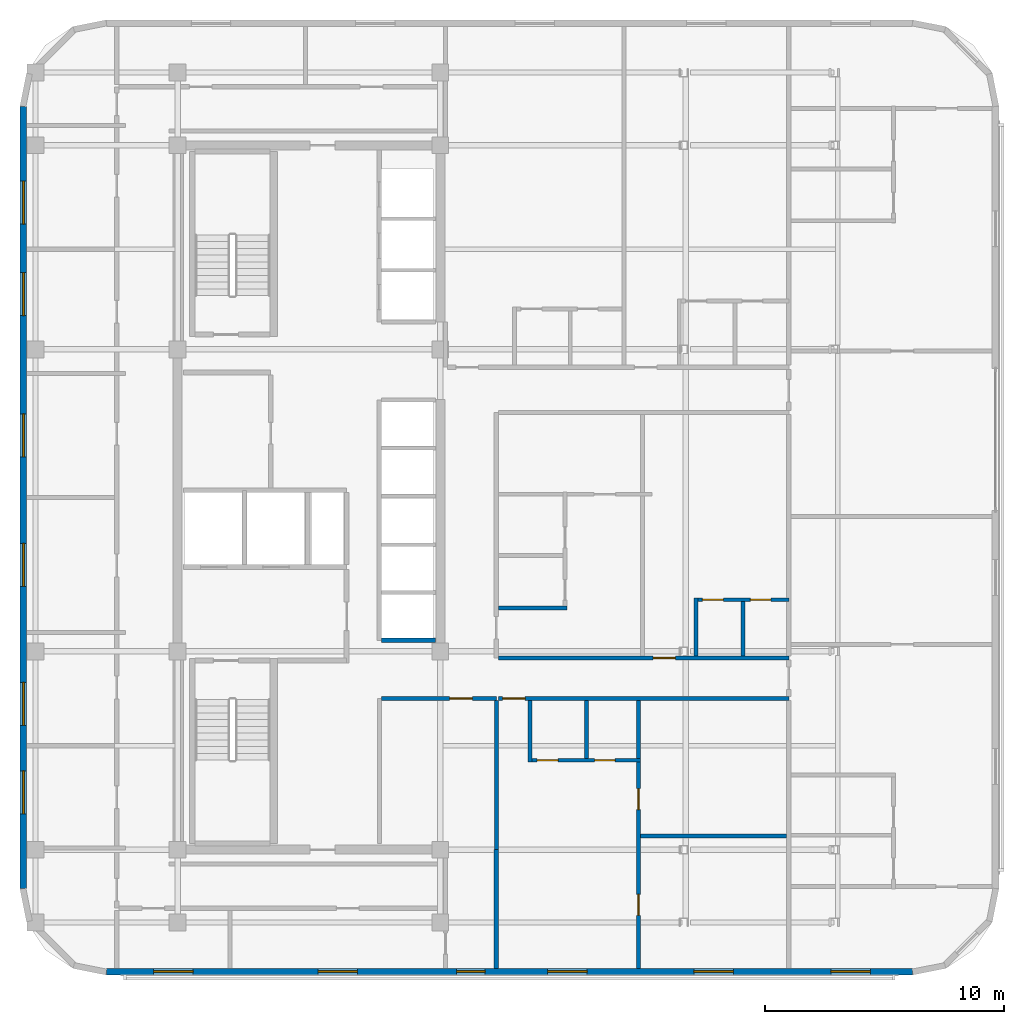
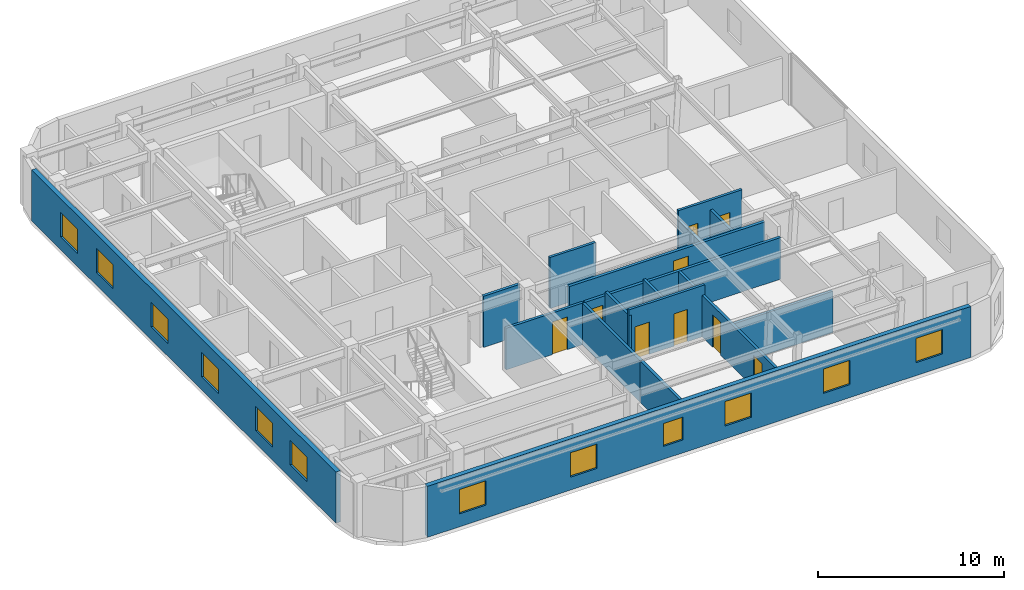
# One storey, part 4 of 11: 17 walls, 12 windows, 9 doors, 21 openings.
"""IFC4 building model written with IfcOpenShell, lengths in metres."""

from ifc_helpers import new_model, si_unit, direction, frame, frame_2d, origin, place, context, subcontext, project, spatial, rectangle, extrude, material, layer, layer_set, type_object, element, fill, save


model = new_model("IFC4")

# Units and contexts
model_context = context("Model", 3, precision=1e-05, world=origin(), true_north=direction((0.0, 1.0)))
body_context = subcontext(model_context, "Body", "Model", "MODEL_VIEW")
ifc_project = project(units=[si_unit("LENGTHUNIT", "METRE"), si_unit("AREAUNIT", "SQUARE_METRE"), si_unit("VOLUMEUNIT", "CUBIC_METRE"), si_unit("PLANEANGLEUNIT", "RADIAN"), si_unit("MASSUNIT", "GRAM", prefix="KILO")], contexts=[model_context])

# Site, building, storey
site_placement = place(None, origin())
site = spatial("IfcSite", under=ifc_project, at=site_placement, CompositionType="ELEMENT")
building_placement = place(site_placement, origin())
building = spatial("IfcBuilding", under=site, at=building_placement, Name="Ochreholt Gables", CompositionType="ELEMENT")
storey_placement = place(building_placement, frame((0.0, 0.0, 155.39990234375)))
storey = spatial("IfcBuildingStorey", under=building, at=storey_placement, Name="L40", CompositionType="ELEMENT", Elevation=155.39990234375)

# Wall, openings, windows
ifc_material_1 = material(Name="Precast concrete 40 MPa", Category="concrete")
ifc_layer_1 = layer(ifc_material_1, 0.280029296875, Name="Precast concrete 40 MPa")
ifc_layer_set_1 = layer_set([ifc_layer_1], Name="Precast concrete 40 MPa")
wall_type_1 = type_object("IfcWallType", Name="WALL-EXT-280", PredefinedType="SOLIDWALL", material=ifc_layer_set_1)
wall_1_placement = place(storey_placement, frame((21.219970703125, 4.139892578125, 0.0), z_axis=(0.0, 0.0, 1.0), x_axis=(1.0, 0.0, 0.0)))
wall_1 = element("IfcWall", 1, at=wall_1_placement, inside=storey, type_object=wall_type_1, Name="L40 South Exterior Wall", PredefinedType="SOLIDWALL", context=body_context, shape_type="SweptSolid", body=[
    extrude(rectangle(XDim=33.760009765625, YDim=0.280029296875, at=frame_2d((16.8798828125, 0.0))), origin(), (0.0, 0.0, 1.0), 3.360107421875),
])
opening_1_placement = place(wall_1_placement, frame((1.97998046875, 0.0, 0.85009765625)))
opening_1 = element("IfcOpeningElement", 2, at=opening_1_placement, cuts=wall_1, Name="Opening WN-7", PredefinedType="OPENING", context=body_context, shape_type="SweptSolid", body=[
    extrude(rectangle(XDim=1.64990234375, YDim=1.60009765625, at=frame_2d((0.824951171875, 0.800048828125))), frame((0.0, 0.14990234375, 0.0), z_axis=(0.0, -1.0, 0.0), x_axis=(1.0, 0.0, 0.0)), (0.0, 0.0, 1.0), 0.300048828125),
])
opening_2_placement = place(wall_1_placement, frame((8.864990234375, 0.0, 0.85009765625)))
opening_2 = element("IfcOpeningElement", 3, at=opening_2_placement, cuts=wall_1, Name="Opening WN-7", PredefinedType="OPENING", context=body_context, shape_type="SweptSolid", body=[
    extrude(rectangle(XDim=1.64990234375, YDim=1.60009765625, at=frame_2d((0.824951171875, 0.800048828125))), frame((0.0, 0.14990234375, 0.0), z_axis=(0.0, -1.0, 0.0), x_axis=(1.0, 0.0, 0.0)), (0.0, 0.0, 1.0), 0.300048828125),
])
opening_3_placement = place(wall_1_placement, frame((14.6650390625, 0.0, 0.85009765625)))
opening_3 = element("IfcOpeningElement", 4, at=opening_3_placement, cuts=wall_1, Name="Opening WN-3", PredefinedType="OPENING", context=body_context, shape_type="SweptSolid", body=[
    extrude(rectangle(XDim=1.199951171875, YDim=1.5, at=frame_2d((0.60009765625, 0.75))), frame((0.0, 0.14990234375, 0.0), z_axis=(0.0, -1.0, 0.0), x_axis=(1.0, 0.0, 0.0)), (0.0, 0.0, 1.0), 0.300048828125),
])
opening_4_placement = place(wall_1_placement, frame((18.485107421875, 0.0, 0.85009765625)))
opening_4 = element("IfcOpeningElement", 5, at=opening_4_placement, cuts=wall_1, Name="Opening WN-7", PredefinedType="OPENING", context=body_context, shape_type="SweptSolid", body=[
    extrude(rectangle(XDim=1.64990234375, YDim=1.60009765625, at=frame_2d((0.824951171875, 0.800048828125))), frame((0.0, 0.14990234375, 0.0), z_axis=(0.0, -1.0, 0.0), x_axis=(1.0, 0.0, 0.0)), (0.0, 0.0, 1.0), 0.300048828125),
])
opening_5_placement = place(wall_1_placement, frame((24.610107421875, 0.0, 0.85009765625)))
opening_5 = element("IfcOpeningElement", 6, at=opening_5_placement, cuts=wall_1, Name="Opening WN-7", PredefinedType="OPENING", context=body_context, shape_type="SweptSolid", body=[
    extrude(rectangle(XDim=1.64990234375, YDim=1.60009765625, at=frame_2d((0.824951171875, 0.800048828125))), frame((0.0, 0.14990234375, 0.0), z_axis=(0.0, -1.0, 0.0), x_axis=(1.0, 0.0, 0.0)), (0.0, 0.0, 1.0), 0.300048828125),
])
opening_6_placement = place(wall_1_placement, frame((30.344970703125, 0.0, 0.85009765625)))
opening_6 = element("IfcOpeningElement", 7, at=opening_6_placement, cuts=wall_1, Name="Opening WN-7", PredefinedType="OPENING", context=body_context, shape_type="SweptSolid", body=[
    extrude(rectangle(XDim=1.64990234375, YDim=1.60009765625, at=frame_2d((0.824951171875, 0.800048828125))), frame((0.0, 0.14990234375, 0.0), z_axis=(0.0, -1.0, 0.0), x_axis=(1.0, 0.0, 0.0)), (0.0, 0.0, 1.0), 0.300048828125),
])
ifc_material_2 = material(Name="Triple-Glazed Thermally Broken Aluminium Window", Category="aluminium")
window_type_1 = type_object("IfcWindowType", Name="WIN-RES-1200", PartitioningType="SINGLE_PANEL", PredefinedType="WINDOW", material=ifc_material_2)
window_1_placement = place(opening_3_placement, origin())
window_1 = element("IfcWindow", 8, at=window_1_placement, inside=storey, type_object=window_type_1, Name="L40 Window W-EXT-S-L40-3", OverallHeight=1.5, OverallWidth=1.199951171875, PartitioningType="SINGLE_PANEL", PredefinedType="WINDOW", context=body_context, shape_type="SweptSolid", body=[
    extrude(rectangle(XDim=1.199951171875, YDim=1.5, at=frame_2d((0.60009765625, 0.75))), frame((0.0, 0.030029296875, 0.0), z_axis=(0.0, -1.0, 0.0), x_axis=(1.0, 0.0, 0.0)), (0.0, 0.0, 1.0), 0.06005859375),
])
fill(opening_3, window_1)
window_type_2 = type_object("IfcWindowType", Name="WIN-RES-1650", PartitioningType="SINGLE_PANEL", PredefinedType="WINDOW", material=ifc_material_2)
window_2_placement = place(opening_1_placement, origin())
window_2 = element("IfcWindow", 9, at=window_2_placement, inside=storey, type_object=window_type_2, Name="L40 Window W-EXT-S-L40-1", OverallHeight=1.60009765625, OverallWidth=1.64990234375, PartitioningType="SINGLE_PANEL", PredefinedType="WINDOW", context=body_context, shape_type="SweptSolid", body=[
    extrude(rectangle(XDim=1.64990234375, YDim=1.60009765625, at=frame_2d((0.824951171875, 0.800048828125))), frame((0.0, 0.030029296875, 0.0), z_axis=(0.0, -1.0, 0.0), x_axis=(1.0, 0.0, 0.0)), (0.0, 0.0, 1.0), 0.06005859375),
])
fill(opening_1, window_2)
window_3_placement = place(opening_2_placement, origin())
window_3 = element("IfcWindow", 10, at=window_3_placement, inside=storey, type_object=window_type_2, Name="L40 Window W-EXT-S-L40-2", OverallHeight=1.60009765625, OverallWidth=1.64990234375, PartitioningType="SINGLE_PANEL", PredefinedType="WINDOW", context=body_context, shape_type="SweptSolid", body=[
    extrude(rectangle(XDim=1.64990234375, YDim=1.60009765625, at=frame_2d((0.824951171875, 0.800048828125))), frame((0.0, 0.030029296875, 0.0), z_axis=(0.0, -1.0, 0.0), x_axis=(1.0, 0.0, 0.0)), (0.0, 0.0, 1.0), 0.06005859375),
])
fill(opening_2, window_3)
window_4_placement = place(opening_4_placement, origin())
window_4 = element("IfcWindow", 11, at=window_4_placement, inside=storey, type_object=window_type_2, Name="L40 Window W-EXT-S-L40-4", OverallHeight=1.60009765625, OverallWidth=1.64990234375, PartitioningType="SINGLE_PANEL", PredefinedType="WINDOW", context=body_context, shape_type="SweptSolid", body=[
    extrude(rectangle(XDim=1.64990234375, YDim=1.60009765625, at=frame_2d((0.824951171875, 0.800048828125))), frame((0.0, 0.030029296875, 0.0), z_axis=(0.0, -1.0, 0.0), x_axis=(1.0, 0.0, 0.0)), (0.0, 0.0, 1.0), 0.06005859375),
])
fill(opening_4, window_4)
window_5_placement = place(opening_5_placement, origin())
window_5 = element("IfcWindow", 12, at=window_5_placement, inside=storey, type_object=window_type_2, Name="L40 Window W-EXT-S-L40-5", OverallHeight=1.60009765625, OverallWidth=1.64990234375, PartitioningType="SINGLE_PANEL", PredefinedType="WINDOW", context=body_context, shape_type="SweptSolid", body=[
    extrude(rectangle(XDim=1.64990234375, YDim=1.60009765625, at=frame_2d((0.824951171875, 0.800048828125))), frame((0.0, 0.030029296875, 0.0), z_axis=(0.0, -1.0, 0.0), x_axis=(1.0, 0.0, 0.0)), (0.0, 0.0, 1.0), 0.06005859375),
])
fill(opening_5, window_5)
window_6_placement = place(opening_6_placement, origin())
window_6 = element("IfcWindow", 13, at=window_6_placement, inside=storey, type_object=window_type_2, Name="L40 Window W-EXT-S-L40-6", OverallHeight=1.60009765625, OverallWidth=1.64990234375, PartitioningType="SINGLE_PANEL", PredefinedType="WINDOW", context=body_context, shape_type="SweptSolid", body=[
    extrude(rectangle(XDim=1.64990234375, YDim=1.60009765625, at=frame_2d((0.824951171875, 0.800048828125))), frame((0.0, 0.030029296875, 0.0), z_axis=(0.0, -1.0, 0.0), x_axis=(1.0, 0.0, 0.0)), (0.0, 0.0, 1.0), 0.06005859375),
])
fill(opening_6, window_6)

wall_2_placement = place(storey_placement, frame((17.739990234375, 40.3798828125, 0.0), z_axis=(0.0, 0.0, 1.0), x_axis=(0.0, -1.0, 0.0)))
wall_2 = element("IfcWall", 14, at=wall_2_placement, inside=storey, type_object=wall_type_1, Name="L40 West Exterior Wall", PredefinedType="SOLIDWALL", context=body_context, shape_type="SweptSolid", body=[
    extrude(rectangle(XDim=32.759765625, YDim=0.280029296875, at=frame_2d((16.3798828125, 0.0))), origin(), (0.0, 0.0, 1.0), 3.360107421875),
])
opening_7_placement = place(wall_2_placement, frame((27.8349609375, 0.0, 0.85009765625)))
opening_7 = element("IfcOpeningElement", 15, at=opening_7_placement, cuts=wall_2, Name="Opening WN-1", PredefinedType="OPENING", context=body_context, shape_type="SweptSolid", body=[
    extrude(rectangle(XDim=1.800048828125, YDim=1.60009765625, at=frame_2d((0.89990234375, 0.800048828125))), frame((0.0, 0.14990234375, 0.0), z_axis=(0.0, -1.0, 0.0), x_axis=(1.0, 0.0, 0.0)), (0.0, 0.0, 1.0), 0.300048828125),
])
opening_8_placement = place(wall_2_placement, frame((24.125, 0.0, 0.85009765625)))
opening_8 = element("IfcOpeningElement", 16, at=opening_8_placement, cuts=wall_2, Name="Opening WN-1", PredefinedType="OPENING", context=body_context, shape_type="SweptSolid", body=[
    extrude(rectangle(XDim=1.800048828125, YDim=1.60009765625, at=frame_2d((0.89990234375, 0.800048828125))), frame((0.0, 0.14990234375, 0.0), z_axis=(0.0, -1.0, 0.0), x_axis=(1.0, 0.0, 0.0)), (0.0, 0.0, 1.0), 0.300048828125),
])
opening_9_placement = place(wall_2_placement, frame((18.304931640625, 0.0, 0.85009765625)))
opening_9 = element("IfcOpeningElement", 17, at=opening_9_placement, cuts=wall_2, Name="Opening WN-1", PredefinedType="OPENING", context=body_context, shape_type="SweptSolid", body=[
    extrude(rectangle(XDim=1.800048828125, YDim=1.60009765625, at=frame_2d((0.89990234375, 0.800048828125))), frame((0.0, 0.14990234375, 0.0), z_axis=(0.0, -1.0, 0.0), x_axis=(1.0, 0.0, 0.0)), (0.0, 0.0, 1.0), 0.300048828125),
])
opening_10_placement = place(wall_2_placement, frame((12.8798828125, 0.0, 0.85009765625)))
opening_10 = element("IfcOpeningElement", 18, at=opening_10_placement, cuts=wall_2, Name="Opening WN-1", PredefinedType="OPENING", context=body_context, shape_type="SweptSolid", body=[
    extrude(rectangle(XDim=1.800048828125, YDim=1.60009765625, at=frame_2d((0.89990234375, 0.800048828125))), frame((0.0, 0.14990234375, 0.0), z_axis=(0.0, -1.0, 0.0), x_axis=(1.0, 0.0, 0.0)), (0.0, 0.0, 1.0), 0.300048828125),
])
opening_11_placement = place(wall_2_placement, frame((6.9599609375, 0.0, 0.85009765625)))
opening_11 = element("IfcOpeningElement", 19, at=opening_11_placement, cuts=wall_2, Name="Opening WN-1", PredefinedType="OPENING", context=body_context, shape_type="SweptSolid", body=[
    extrude(rectangle(XDim=1.800048828125, YDim=1.60009765625, at=frame_2d((0.89990234375, 0.800048828125))), frame((0.0, 0.14990234375, 0.0), z_axis=(0.0, -1.0, 0.0), x_axis=(1.0, 0.0, 0.0)), (0.0, 0.0, 1.0), 0.300048828125),
])
opening_12_placement = place(wall_2_placement, frame((3.125, 0.0, 0.85009765625)))
opening_12 = element("IfcOpeningElement", 20, at=opening_12_placement, cuts=wall_2, Name="Opening WN-1", PredefinedType="OPENING", context=body_context, shape_type="SweptSolid", body=[
    extrude(rectangle(XDim=1.800048828125, YDim=1.60009765625, at=frame_2d((0.89990234375, 0.800048828125))), frame((0.0, 0.14990234375, 0.0), z_axis=(0.0, -1.0, 0.0), x_axis=(1.0, 0.0, 0.0)), (0.0, 0.0, 1.0), 0.300048828125),
])
window_type_3 = type_object("IfcWindowType", Name="WIN-RES-1800", PartitioningType="SINGLE_PANEL", PredefinedType="WINDOW", material=ifc_material_2)
window_7_placement = place(opening_7_placement, origin())
window_7 = element("IfcWindow", 21, at=window_7_placement, inside=storey, type_object=window_type_3, Name="L40 Window W-EXT-W-L40-1", OverallHeight=1.60009765625, OverallWidth=1.800048828125, PartitioningType="SINGLE_PANEL", PredefinedType="WINDOW", context=body_context, shape_type="SweptSolid", body=[
    extrude(rectangle(XDim=1.800048828125, YDim=1.60009765625, at=frame_2d((0.89990234375, 0.800048828125))), frame((0.0, 0.030029296875, 0.0), z_axis=(0.0, -1.0, 0.0), x_axis=(1.0, 0.0, 0.0)), (0.0, 0.0, 1.0), 0.06005859375),
])
fill(opening_7, window_7)
window_8_placement = place(opening_8_placement, origin())
window_8 = element("IfcWindow", 22, at=window_8_placement, inside=storey, type_object=window_type_3, Name="L40 Window W-EXT-W-L40-2", OverallHeight=1.60009765625, OverallWidth=1.800048828125, PartitioningType="SINGLE_PANEL", PredefinedType="WINDOW", context=body_context, shape_type="SweptSolid", body=[
    extrude(rectangle(XDim=1.800048828125, YDim=1.60009765625, at=frame_2d((0.89990234375, 0.800048828125))), frame((0.0, 0.030029296875, 0.0), z_axis=(0.0, -1.0, 0.0), x_axis=(1.0, 0.0, 0.0)), (0.0, 0.0, 1.0), 0.06005859375),
])
fill(opening_8, window_8)
window_9_placement = place(opening_9_placement, origin())
window_9 = element("IfcWindow", 23, at=window_9_placement, inside=storey, type_object=window_type_3, Name="L40 Window W-EXT-W-L40-3", OverallHeight=1.60009765625, OverallWidth=1.800048828125, PartitioningType="SINGLE_PANEL", PredefinedType="WINDOW", context=body_context, shape_type="SweptSolid", body=[
    extrude(rectangle(XDim=1.800048828125, YDim=1.60009765625, at=frame_2d((0.89990234375, 0.800048828125))), frame((0.0, 0.030029296875, 0.0), z_axis=(0.0, -1.0, 0.0), x_axis=(1.0, 0.0, 0.0)), (0.0, 0.0, 1.0), 0.06005859375),
])
fill(opening_9, window_9)
window_10_placement = place(opening_10_placement, origin())
window_10 = element("IfcWindow", 24, at=window_10_placement, inside=storey, type_object=window_type_3, Name="L40 Window W-EXT-W-L40-4", OverallHeight=1.60009765625, OverallWidth=1.800048828125, PartitioningType="SINGLE_PANEL", PredefinedType="WINDOW", context=body_context, shape_type="SweptSolid", body=[
    extrude(rectangle(XDim=1.800048828125, YDim=1.60009765625, at=frame_2d((0.89990234375, 0.800048828125))), frame((0.0, 0.030029296875, 0.0), z_axis=(0.0, -1.0, 0.0), x_axis=(1.0, 0.0, 0.0)), (0.0, 0.0, 1.0), 0.06005859375),
])
fill(opening_10, window_10)
window_11_placement = place(opening_11_placement, origin())
window_11 = element("IfcWindow", 25, at=window_11_placement, inside=storey, type_object=window_type_3, Name="L40 Window W-EXT-W-L40-5", OverallHeight=1.60009765625, OverallWidth=1.800048828125, PartitioningType="SINGLE_PANEL", PredefinedType="WINDOW", context=body_context, shape_type="SweptSolid", body=[
    extrude(rectangle(XDim=1.800048828125, YDim=1.60009765625, at=frame_2d((0.89990234375, 0.800048828125))), frame((0.0, 0.030029296875, 0.0), z_axis=(0.0, -1.0, 0.0), x_axis=(1.0, 0.0, 0.0)), (0.0, 0.0, 1.0), 0.06005859375),
])
fill(opening_11, window_11)
window_12_placement = place(opening_12_placement, origin())
window_12 = element("IfcWindow", 26, at=window_12_placement, inside=storey, type_object=window_type_3, Name="L40 Window W-EXT-W-L40-6", OverallHeight=1.60009765625, OverallWidth=1.800048828125, PartitioningType="SINGLE_PANEL", PredefinedType="WINDOW", context=body_context, shape_type="SweptSolid", body=[
    extrude(rectangle(XDim=1.800048828125, YDim=1.60009765625, at=frame_2d((0.89990234375, 0.800048828125))), frame((0.0, 0.030029296875, 0.0), z_axis=(0.0, -1.0, 0.0), x_axis=(1.0, 0.0, 0.0)), (0.0, 0.0, 1.0), 0.06005859375),
])
fill(opening_12, window_12)

# Wall, opening, door
ifc_material_3 = material(Name="Fire-Rated Gypsum Acoustic Partition", Category="gypsum")
ifc_layer_2 = layer(ifc_material_3, 0.179931640625, Name="Fire-Rated Gypsum Acoustic Partition")
ifc_layer_set_2 = layer_set([ifc_layer_2], Name="Fire-Rated Gypsum Acoustic Partition")
wall_type_2 = type_object("IfcWallType", Name="WALL-INT-CR180", PredefinedType="STANDARD", material=ifc_layer_set_2)
wall_3_placement = place(storey_placement, frame((37.632568359375, 15.580078125, 0.0), z_axis=(0.0, 0.0, 1.0), x_axis=(1.0, 0.0, 0.0)))
wall_3 = element("IfcWall", 27, at=wall_3_placement, inside=storey, type_object=wall_type_2, Name="L40 Interior Wall WI-C2SS1-L40", PredefinedType="STANDARD", context=body_context, shape_type="SweptSolid", body=[
    extrude(rectangle(XDim=12.16748046875, YDim=0.179931640625, at=frame_2d((6.083740234375, 0.0))), origin(), (0.0, 0.0, 1.0), 2.72998046875),
])
opening_13_placement = place(wall_3_placement, frame((0.1875, 0.0, 0.0)))
opening_13 = element("IfcOpeningElement", 28, at=opening_13_placement, cuts=wall_3, Name="Opening D-UN2", PredefinedType="OPENING", context=body_context, shape_type="SweptSolid", body=[
    extrude(rectangle(XDim=0.93994140625, YDim=2.14990234375, at=frame_2d((0.469970703125, 1.074951171875))), frame((0.0, 0.099853515625, 0.0), z_axis=(0.0, -1.0, 0.0), x_axis=(1.0, 0.0, 0.0)), (0.0, 0.0, 1.0), 0.199951171875),
])
ifc_material_4 = material(Name="Engineered Oak Timber", Category="wood")
door_type_1 = type_object("IfcDoorType", Name="DR-INT-UNT940", OperationType="NOTDEFINED", PredefinedType="DOOR", material=ifc_material_4)
door_1_placement = place(opening_13_placement, origin())
door_1 = element("IfcDoor", 29, at=door_1_placement, inside=storey, type_object=door_type_1, Name="L40 Door D-U-L40S1-ENT", OperationType="SINGLE_SWING_RIGHT", OverallHeight=2.14990234375, OverallWidth=0.93994140625, PredefinedType="DOOR", context=body_context, shape_type="SweptSolid", body=[
    extrude(rectangle(XDim=0.93994140625, YDim=2.14990234375, at=frame_2d((0.469970703125, 1.074951171875))), frame((0.0, 0.02490234375, 0.0), z_axis=(0.0, -1.0, 0.0), x_axis=(1.0, 0.0, 0.0)), (0.0, 0.0, 1.0), 0.050048828125),
])
fill(opening_13, door_1)

wall_4_placement = place(storey_placement, frame((37.639892578125, 17.280029296875, 0.0), z_axis=(0.0, 0.0, 1.0), x_axis=(1.0, 0.0, 0.0)))
wall_4 = element("IfcWall", 30, at=wall_4_placement, inside=storey, type_object=wall_type_2, Name="L40 Interior Wall WI-C2SS2-L40", PredefinedType="STANDARD", context=body_context, shape_type="SweptSolid", body=[
    extrude(rectangle(XDim=12.16015625, YDim=0.179931640625, at=frame_2d((6.080078125, 0.0))), origin(), (0.0, 0.0, 1.0), 2.72998046875),
])
opening_14_placement = place(wall_4_placement, frame((6.47509765625, 0.0, 0.0)))
opening_14 = element("IfcOpeningElement", 31, at=opening_14_placement, cuts=wall_4, Name="Opening D-UN2", PredefinedType="OPENING", context=body_context, shape_type="SweptSolid", body=[
    extrude(rectangle(XDim=0.93994140625, YDim=2.14990234375, at=frame_2d((0.469970703125, 1.074951171875))), frame((0.0, 0.099853515625, 0.0), z_axis=(0.0, -1.0, 0.0), x_axis=(1.0, 0.0, 0.0)), (0.0, 0.0, 1.0), 0.199951171875),
])
door_2_placement = place(opening_14_placement, origin())
door_2 = element("IfcDoor", 32, at=door_2_placement, inside=storey, type_object=door_type_1, Name="L40 Door D-U-L40M2-ENT", OperationType="SINGLE_SWING_RIGHT", OverallHeight=2.14990234375, OverallWidth=0.93994140625, PredefinedType="DOOR", context=body_context, shape_type="SweptSolid", body=[
    extrude(rectangle(XDim=0.93994140625, YDim=2.14990234375, at=frame_2d((0.469970703125, 1.074951171875))), frame((0.0, 0.02490234375, 0.0), z_axis=(0.0, -1.0, 0.0), x_axis=(1.0, 0.0, 0.0)), (0.0, 0.0, 1.0), 0.050048828125),
])
fill(opening_14, door_2)

# Wall
ifc_material_5 = material(Name="Double-Stud Acoustic Demising Wall", Category="gypsum")
ifc_layer_3 = layer(ifc_material_5, 0.179931640625, Name="Double-Stud Acoustic Demising Wall")
ifc_layer_set_3 = layer_set([ifc_layer_3], Name="Double-Stud Acoustic Demising Wall")
wall_type_3 = type_object("IfcWallType", Name="WALL-INT-DM180", PredefinedType="PARTITIONING", material=ifc_layer_set_3)
wall_5_placement = place(storey_placement, frame((37.550048828125, 4.280029296875, 0.0), z_axis=(0.0, 0.0, 1.0), x_axis=(0.0, 1.0, 0.0)))
element("IfcWall", 33, at=wall_5_placement, inside=storey, type_object=wall_type_3, Name="L40 Interior Wall WI-C2SEW2-L40", PredefinedType="PARTITIONING", context=body_context, shape_type="SweptSolid", body=[
    extrude(rectangle(XDim=4.969970703125, YDim=0.179931640625, at=frame_2d((2.48486328125, 0.0))), origin(), (0.0, 0.0, 1.0), 2.72998046875),
])

# Wall, openings, doors
ifc_material_6 = material(Name="Moisture-Resistant Plumbing Chase Wall", Category="gypsum")
ifc_layer_4 = layer(ifc_material_6, 0.159912109375, Name="Moisture-Resistant Plumbing Chase Wall")
ifc_layer_set_4 = layer_set([ifc_layer_4], Name="Moisture-Resistant Plumbing Chase Wall")
wall_type_4 = type_object("IfcWallType", Name="WALL-INT-PL160", PredefinedType="PLUMBINGWALL", material=ifc_layer_set_4)
wall_6_placement = place(storey_placement, frame((38.8798828125, 12.992431640625, 0.0), z_axis=(0.0, 0.0, 1.0), x_axis=(1.0, 0.0, 0.0)))
wall_6 = element("IfcWall", 34, at=wall_6_placement, inside=storey, type_object=wall_type_4, Name="L40 Interior Wall WU-L40S1-WY", PredefinedType="PLUMBINGWALL", context=body_context, shape_type="SweptSolid", body=[
    extrude(rectangle(XDim=4.710205078125, YDim=0.159912109375, at=frame_2d((2.35498046875, 0.0))), origin(), (0.0, 0.0, 1.0), 3.360107421875),
])
opening_15_placement = place(wall_6_placement, frame((0.3798828125, 0.0, 0.0)))
opening_15 = element("IfcOpeningElement", 35, at=opening_15_placement, cuts=wall_6, Name="Opening D-GN2", PredefinedType="OPENING", context=body_context, shape_type="SweptSolid", body=[
    extrude(rectangle(XDim=0.8798828125, YDim=2.1201171875, at=frame_2d((0.43994140625, 1.06005859375))), frame((0.0, 0.08984375, 0.0), z_axis=(0.0, -1.0, 0.0), x_axis=(1.0, 0.0, 0.0)), (0.0, 0.0, 1.0), 0.179931640625),
])
opening_16_placement = place(wall_6_placement, frame((2.785888671875, 0.0, 0.0)))
opening_16 = element("IfcOpeningElement", 36, at=opening_16_placement, cuts=wall_6, Name="Opening D-BT1", PredefinedType="OPENING", context=body_context, shape_type="SweptSolid", body=[
    extrude(rectangle(XDim=0.860107421875, YDim=2.1201171875, at=frame_2d((0.43017578125, 1.06005859375))), frame((0.0, 0.08984375, 0.0), z_axis=(0.0, -1.0, 0.0), x_axis=(1.0, 0.0, 0.0)), (0.0, 0.0, 1.0), 0.179931640625),
])
door_type_2 = type_object("IfcDoorType", Name="DR-INT-BTH860", OperationType="NOTDEFINED", PredefinedType="DOOR", material=ifc_material_4)
door_3_placement = place(opening_16_placement, origin())
door_3 = element("IfcDoor", 37, at=door_3_placement, inside=storey, type_object=door_type_2, Name="L40 Door D-U-L40S1-BTH", OperationType="SINGLE_SWING_RIGHT", OverallHeight=2.1201171875, OverallWidth=0.860107421875, PredefinedType="DOOR", context=body_context, shape_type="SweptSolid", body=[
    extrude(rectangle(XDim=0.860107421875, YDim=2.1201171875, at=frame_2d((0.43017578125, 1.06005859375))), frame((0.0, 0.02490234375, 0.0), z_axis=(0.0, -1.0, 0.0), x_axis=(1.0, 0.0, 0.0)), (0.0, 0.0, 1.0), 0.050048828125),
])
fill(opening_16, door_3)
door_type_3 = type_object("IfcDoorType", Name="DR-INT-GEN880", OperationType="NOTDEFINED", PredefinedType="DOOR", material=ifc_material_4)
door_4_placement = place(opening_15_placement, origin())
door_4 = element("IfcDoor", 38, at=door_4_placement, inside=storey, type_object=door_type_3, Name="L40 Door D-U-L40S1-KIT", OperationType="SINGLE_SWING_LEFT", OverallHeight=2.1201171875, OverallWidth=0.8798828125, PredefinedType="DOOR", context=body_context, shape_type="SweptSolid", body=[
    extrude(rectangle(XDim=0.8798828125, YDim=2.1201171875, at=frame_2d((0.43994140625, 1.06005859375))), frame((0.0, 0.02490234375, 0.0), z_axis=(0.0, -1.0, 0.0), x_axis=(1.0, 0.0, 0.0)), (0.0, 0.0, 1.0), 0.050048828125),
])
fill(opening_15, door_4)

# Walls
wall_7_placement = place(storey_placement, frame((38.9599609375, 12.91259765625, 0.0), z_axis=(0.0, 0.0, 1.0), x_axis=(0.0, 1.0, 0.0)))
element("IfcWall", 39, at=wall_7_placement, inside=storey, type_object=wall_type_4, Name="L40 Interior Wall WU-L40S1-FY", PredefinedType="PLUMBINGWALL", context=body_context, shape_type="SweptSolid", body=[
    extrude(rectangle(XDim=2.577392578125, YDim=0.159912109375, at=frame_2d((1.28857421875, 0.0))), origin(), (0.0, 0.0, 1.0), 2.984130859375),
])
wall_8_placement = place(storey_placement, frame((41.325927734375, 13.072509765625, 0.0), z_axis=(0.0, 0.0, 1.0), x_axis=(0.0, 1.0, 0.0)))
element("IfcWall", 40, at=wall_8_placement, inside=storey, type_object=wall_type_4, Name="L40 Interior Wall WU-L40S1-WK", PredefinedType="PLUMBINGWALL", context=body_context, shape_type="SweptSolid", body=[
    extrude(rectangle(XDim=2.41748046875, YDim=0.159912109375, at=frame_2d((1.208740234375, 0.0))), origin(), (0.0, 0.0, 1.0), 2.984130859375),
])
wall_9_placement = place(storey_placement, frame((37.639892578125, 19.373046875, 0.0), z_axis=(0.0, 0.0, 1.0), x_axis=(1.0, 0.0, 0.0)))
element("IfcWall", 41, at=wall_9_placement, inside=storey, type_object=wall_type_4, Name="L40 Interior Wall WU-L40M1-FYS", PredefinedType="PLUMBINGWALL", context=body_context, shape_type="SweptSolid", body=[
    extrude(rectangle(XDim=2.864013671875, YDim=0.159912109375, at=frame_2d((1.43212890625, 0.0))), origin(), (0.0, 0.0, 1.0), 3.360107421875),
])

# Wall, openings, doors
wall_10_placement = place(storey_placement, frame((45.8349609375, 19.719970703125, 0.0), z_axis=(0.0, 0.0, 1.0), x_axis=(1.0, 0.0, 0.0)))
wall_10 = element("IfcWall", 42, at=wall_10_placement, inside=storey, type_object=wall_type_4, Name="L40 Interior Wall WU-L40M2-WY", PredefinedType="PLUMBINGWALL", context=body_context, shape_type="SweptSolid", body=[
    extrude(rectangle(XDim=3.965087890625, YDim=0.159912109375, at=frame_2d((1.982421875, 0.0))), origin(), (0.0, 0.0, 1.0), 3.360107421875),
])
opening_17_placement = place(wall_10_placement, frame((0.35009765625, 0.0, 0.0)))
opening_17 = element("IfcOpeningElement", 43, at=opening_17_placement, cuts=wall_10, Name="Opening D-GN2", PredefinedType="OPENING", context=body_context, shape_type="SweptSolid", body=[
    extrude(rectangle(XDim=0.8798828125, YDim=2.1201171875, at=frame_2d((0.43994140625, 1.06005859375))), frame((0.0, 0.08984375, 0.0), z_axis=(0.0, -1.0, 0.0), x_axis=(1.0, 0.0, 0.0)), (0.0, 0.0, 1.0), 0.179931640625),
])
opening_18_placement = place(wall_10_placement, frame((2.353515625, 0.0, 0.0)))
opening_18 = element("IfcOpeningElement", 44, at=opening_18_placement, cuts=wall_10, Name="Opening D-BT1", PredefinedType="OPENING", context=body_context, shape_type="SweptSolid", body=[
    extrude(rectangle(XDim=0.860107421875, YDim=2.1201171875, at=frame_2d((0.43017578125, 1.06005859375))), frame((0.0, 0.08984375, 0.0), z_axis=(0.0, -1.0, 0.0), x_axis=(1.0, 0.0, 0.0)), (0.0, 0.0, 1.0), 0.179931640625),
])
door_5_placement = place(opening_18_placement, origin())
door_5 = element("IfcDoor", 45, at=door_5_placement, inside=storey, type_object=door_type_2, Name="L40 Door D-U-L40M2-BTH", OperationType="SINGLE_SWING_RIGHT", OverallHeight=2.1201171875, OverallWidth=0.860107421875, PredefinedType="DOOR", context=body_context, shape_type="SweptSolid", body=[
    extrude(rectangle(XDim=0.860107421875, YDim=2.1201171875, at=frame_2d((0.43017578125, 1.06005859375))), frame((0.0, 0.02490234375, 0.0), z_axis=(0.0, -1.0, 0.0), x_axis=(1.0, 0.0, 0.0)), (0.0, 0.0, 1.0), 0.050048828125),
])
fill(opening_18, door_5)
door_6_placement = place(opening_17_placement, origin())
door_6 = element("IfcDoor", 46, at=door_6_placement, inside=storey, type_object=door_type_3, Name="L40 Door D-U-L40M2-KIT", OperationType="SINGLE_SWING_LEFT", OverallHeight=2.1201171875, OverallWidth=0.8798828125, PredefinedType="DOOR", context=body_context, shape_type="SweptSolid", body=[
    extrude(rectangle(XDim=0.8798828125, YDim=2.1201171875, at=frame_2d((0.43994140625, 1.06005859375))), frame((0.0, 0.02490234375, 0.0), z_axis=(0.0, -1.0, 0.0), x_axis=(1.0, 0.0, 0.0)), (0.0, 0.0, 1.0), 0.050048828125),
])
fill(opening_17, door_6)

# Walls
wall_11_placement = place(storey_placement, frame((45.9150390625, 17.3701171875, 0.0), z_axis=(0.0, 0.0, 1.0), x_axis=(0.0, 1.0, 0.0)))
element("IfcWall", 47, at=wall_11_placement, inside=storey, type_object=wall_type_4, Name="L40 Interior Wall WU-L40M2-FY", PredefinedType="PLUMBINGWALL", context=body_context, shape_type="SweptSolid", body=[
    extrude(rectangle(XDim=2.429931640625, YDim=0.159912109375, at=frame_2d((1.21484375, 0.0))), origin(), (0.0, 0.0, 1.0), 2.72998046875),
])
wall_12_placement = place(storey_placement, frame((47.888427734375, 17.3701171875, 0.0), z_axis=(0.0, 0.0, 1.0), x_axis=(0.0, 1.0, 0.0)))
element("IfcWall", 48, at=wall_12_placement, inside=storey, type_object=wall_type_4, Name="L40 Interior Wall WU-L40M2-WK", PredefinedType="PLUMBINGWALL", context=body_context, shape_type="SweptSolid", body=[
    extrude(rectangle(XDim=2.269775390625, YDim=0.159912109375, at=frame_2d((1.134765625, 0.0))), origin(), (0.0, 0.0, 1.0), 2.72998046875),
])

# Wall, opening, door
ifc_material_7 = material(Name="Gypsum Acoustic Stud Partition", Category="gypsum")
ifc_layer_5 = layer(ifc_material_7, 0.1650390625, Name="Gypsum Acoustic Stud Partition")
ifc_layer_set_5 = layer_set([ifc_layer_5], Name="Gypsum Acoustic Stud Partition")
wall_type_5 = type_object("IfcWallType", Name="WALL-INT-PT165", PredefinedType="PARTITIONING", material=ifc_layer_set_5)
wall_13_placement = place(storey_placement, frame((32.732421875, 15.580078125, 0.0), z_axis=(0.0, 0.0, 1.0), x_axis=(1.0, 0.0, 0.0)))
wall_13 = element("IfcWall", 49, at=wall_13_placement, inside=storey, type_object=wall_type_5, Name="L40 Interior Wall WI-RCL-N-L40", PredefinedType="PARTITIONING", context=body_context, shape_type="SweptSolid", body=[
    extrude(rectangle(XDim=4.817626953125, YDim=0.1650390625, at=frame_2d((2.40869140625, 0.0))), origin(), (0.0, 0.0, 1.0), 2.72998046875),
])
opening_19_placement = place(wall_13_placement, frame((2.867431640625, 0.0, 0.0)))
opening_19 = element("IfcOpeningElement", 50, at=opening_19_placement, cuts=wall_13, Name="Opening D-GN1", PredefinedType="OPENING", context=body_context, shape_type="SweptSolid", body=[
    extrude(rectangle(XDim=0.949951171875, YDim=2.14990234375, at=frame_2d((0.47509765625, 1.074951171875))), frame((0.0, 0.092529296875, 0.0), z_axis=(0.0, -1.0, 0.0), x_axis=(1.0, 0.0, 0.0)), (0.0, 0.0, 1.0), 0.18505859375),
])
door_type_4 = type_object("IfcDoorType", Name="DR-INT-GEN950", OperationType="NOTDEFINED", PredefinedType="DOOR", material=ifc_material_4)
door_7_placement = place(opening_19_placement, origin())
door_7 = element("IfcDoor", 51, at=door_7_placement, inside=storey, type_object=door_type_4, Name="L40 Door D-RCL-L40", OperationType="SINGLE_SWING_LEFT", OverallHeight=2.14990234375, OverallWidth=0.949951171875, PredefinedType="DOOR", context=body_context, shape_type="SweptSolid", body=[
    extrude(rectangle(XDim=0.949951171875, YDim=2.14990234375, at=frame_2d((0.47509765625, 1.074951171875))), frame((0.0, 0.02490234375, 0.0), z_axis=(0.0, -1.0, 0.0), x_axis=(1.0, 0.0, 0.0)), (0.0, 0.0, 1.0), 0.050048828125),
])
fill(opening_19, door_7)

# Wall
wall_14_placement = place(storey_placement, frame((37.550048828125, 9.25, 0.0), z_axis=(0.0, 0.0, 1.0), x_axis=(0.0, 1.0, 0.0)))
element("IfcWall", 52, at=wall_14_placement, inside=storey, type_object=wall_type_5, Name="L40 Interior Wall WI-RCL-E-L40", PredefinedType="PARTITIONING", context=body_context, shape_type="SweptSolid", body=[
    extrude(rectangle(XDim=6.24755859375, YDim=0.1650390625, at=frame_2d((3.123779296875, 0.0))), origin(), (0.0, 0.0, 1.0), 2.72998046875),
])

# Wall, openings, doors
wall_15_placement = place(storey_placement, frame((43.510009765625, 4.280029296875, 0.0), z_axis=(0.0, 0.0, 1.0), x_axis=(0.0, 1.0, 0.0)))
wall_15 = element("IfcWall", 53, at=wall_15_placement, inside=storey, type_object=wall_type_5, Name="L40 Interior Wall WU-L40S1-MNX", PredefinedType="PARTITIONING", context=body_context, shape_type="SweptSolid", body=[
    extrude(rectangle(XDim=11.2099609375, YDim=0.1650390625, at=frame_2d((5.60498046875, 0.0))), origin(), (0.0, 0.0, 1.0), 2.72998046875),
])
opening_20_placement = place(wall_15_placement, frame((2.219970703125, 0.0, 0.0)))
opening_20 = element("IfcOpeningElement", 54, at=opening_20_placement, cuts=wall_15, Name="Opening D-BD2", PredefinedType="OPENING", context=body_context, shape_type="SweptSolid", body=[
    extrude(rectangle(XDim=0.8798828125, YDim=2.139892578125, at=frame_2d((0.43994140625, 1.06982421875))), frame((0.0, 0.092529296875, 0.0), z_axis=(0.0, -1.0, 0.0), x_axis=(1.0, 0.0, 0.0)), (0.0, 0.0, 1.0), 0.18505859375),
])
opening_21_placement = place(wall_15_placement, frame((6.641357421875, 0.0, 0.0)))
opening_21 = element("IfcOpeningElement", 55, at=opening_21_placement, cuts=wall_15, Name="Opening D-BD2", PredefinedType="OPENING", context=body_context, shape_type="SweptSolid", body=[
    extrude(rectangle(XDim=0.8798828125, YDim=2.139892578125, at=frame_2d((0.43994140625, 1.06982421875))), frame((0.0, 0.092529296875, 0.0), z_axis=(0.0, -1.0, 0.0), x_axis=(1.0, 0.0, 0.0)), (0.0, 0.0, 1.0), 0.18505859375),
])
door_type_5 = type_object("IfcDoorType", Name="DR-INT-BED880", OperationType="NOTDEFINED", PredefinedType="DOOR", material=ifc_material_4)
door_8_placement = place(opening_20_placement, origin())
door_8 = element("IfcDoor", 56, at=door_8_placement, inside=storey, type_object=door_type_5, Name="L40 Door D-U-L40S1-BD1", OperationType="SINGLE_SWING_RIGHT", OverallHeight=2.139892578125, OverallWidth=0.8798828125, PredefinedType="DOOR", context=body_context, shape_type="SweptSolid", body=[
    extrude(rectangle(XDim=0.8798828125, YDim=2.139892578125, at=frame_2d((0.43994140625, 1.06982421875))), frame((0.0, 0.02490234375, 0.0), z_axis=(0.0, -1.0, 0.0), x_axis=(1.0, 0.0, 0.0)), (0.0, 0.0, 1.0), 0.050048828125),
])
fill(opening_20, door_8)
door_9_placement = place(opening_21_placement, origin())
door_9 = element("IfcDoor", 57, at=door_9_placement, inside=storey, type_object=door_type_5, Name="L40 Door D-U-L40S1-BD2", OperationType="SINGLE_SWING_LEFT", OverallHeight=2.139892578125, OverallWidth=0.8798828125, PredefinedType="DOOR", context=body_context, shape_type="SweptSolid", body=[
    extrude(rectangle(XDim=0.8798828125, YDim=2.139892578125, at=frame_2d((0.43994140625, 1.06982421875))), frame((0.0, 0.02490234375, 0.0), z_axis=(0.0, -1.0, 0.0), x_axis=(1.0, 0.0, 0.0)), (0.0, 0.0, 1.0), 0.050048828125),
])
fill(opening_21, door_9)

# Walls
wall_16_placement = place(storey_placement, frame((43.590087890625, 9.820068359375, 0.0), z_axis=(0.0, 0.0, 1.0), x_axis=(1.0, 0.0, 0.0)))
element("IfcWall", 58, at=wall_16_placement, inside=storey, type_object=wall_type_5, Name="L40 Interior Wall WU-L40S1-RDV", PredefinedType="PARTITIONING", context=body_context, shape_type="SweptSolid", body=[
    extrude(rectangle(XDim=6.119873046875, YDim=0.1650390625, at=frame_2d((3.06005859375, 0.0))), origin(), (0.0, 0.0, 1.0), 2.72998046875),
])
ifc_material_8 = material(Name="Gypsum Shaftliner and Steel Stud", Category="steel")
ifc_layer_6 = layer(ifc_material_8, 0.179931640625, Name="Gypsum Shaftliner and Steel Stud")
ifc_layer_set_6 = layer_set([ifc_layer_6], Name="Gypsum Shaftliner and Steel Stud")
wall_type_6 = type_object("IfcWallType", Name="WALL-INT-SH180", PredefinedType="STANDARD", material=ifc_layer_set_6)
wall_17_placement = place(storey_placement, frame((32.739990234375, 18.02001953125, 0.0), z_axis=(0.0, 0.0, 1.0), x_axis=(1.0, 0.0, 0.0)))
element("IfcWall", 59, at=wall_17_placement, inside=storey, type_object=wall_type_6, Name="L40 Interior Wall WI-LFHE-S-L40", PredefinedType="STANDARD", context=body_context, shape_type="SweptSolid", body=[
    extrude(rectangle(XDim=2.260009765625, YDim=0.179931640625, at=frame_2d((1.1298828125, 0.0))), origin(), (0.0, 0.0, 1.0), 3.360107421875),
])

save(model, "model.ifc")
